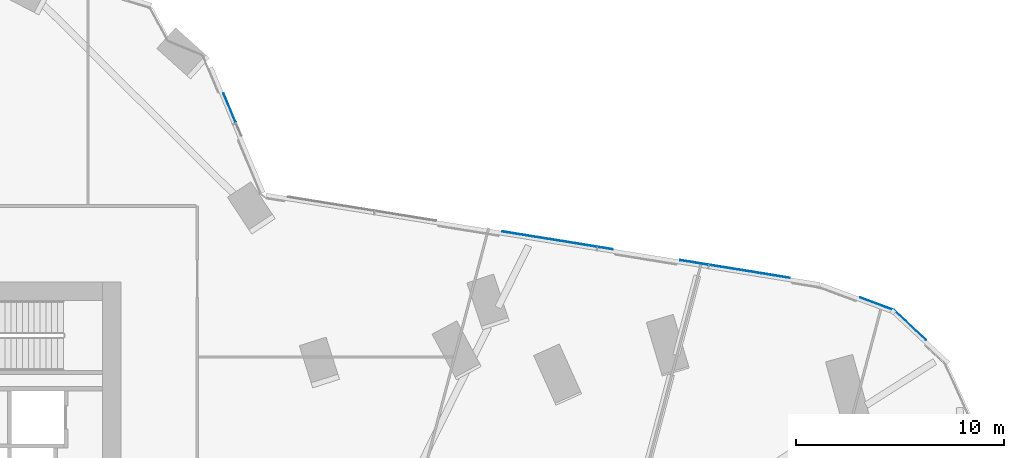
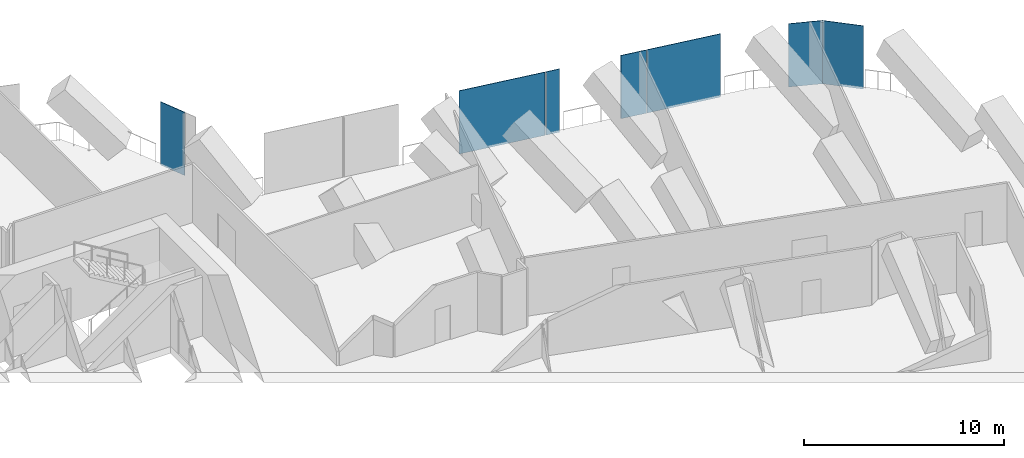
# One storey, part 26 of 37: 7 plates, 4 elements without a shape of their own.
"""IFC4 building model written with IfcOpenShell, lengths in metres."""

import ifcopenshell
import ifcopenshell.guid

model = None  # the IFC model being written
_history = None  # IfcOwnerHistory: only IFC2X3 demands one
_inside = {}  # id of a spatial element -> (the spatial element, [elements in it])
_under = {}  # id of a project, library or spatial element -> (it, [spatial elements below it])
_declared = {}  # id of a project -> (the project, [libraries it declares])
_typed = {}  # id of a type object -> (the type object, [elements of that type])
_made_of = {}  # id of a material, layer set ... -> (it, [elements and type objects made of it])


def new_model(schema):
    """Start an empty IFC model of exactly this schema.

    Asked for "IFC4X3", IfcOpenShell would pick the latest addendum, in which some entities
    have other attributes; the version numbers below select the first issue.
    IFC2X3 requires an IfcOwnerHistory on every rooted entity: one is made here for all.
    """
    global model, _history
    if schema == "IFC4X3":
        model = ifcopenshell.file(schema_version=(4, 3, 0, 0))
    else:
        model = ifcopenshell.file(schema=schema)
    _inside.clear()
    _under.clear()
    _declared.clear()
    _typed.clear()
    _made_of.clear()
    _history = None
    if model.schema == "IFC2X3":
        org = make("IfcOrganization", Name="unknown")
        user = make(
            "IfcPersonAndOrganization",
            ThePerson=make("IfcPerson", FamilyName="unknown"),
            TheOrganization=org,
        )
        app = make(
            "IfcApplication",
            ApplicationDeveloper=org,
            Version="unknown",
            ApplicationFullName="unknown",
            ApplicationIdentifier="unknown",
        )
        _history = make(
            "IfcOwnerHistory",
            OwningUser=user,
            OwningApplication=app,
            ChangeAction="ADDED",
            CreationDate=0,
        )
    return model


def make(cls, **values):
    """One entity of the class cls with the attributes given. An attribute that is None is left unset."""
    return model.create_entity(
        cls, **{name: value for name, value in values.items() if value is not None}
    )


def rooted(cls, **values):
    """An entity with a GlobalId (a new one), such as an element, a storey or a relation."""
    return make(cls, GlobalId=ifcopenshell.guid.new(), OwnerHistory=_history, **values)


def si_unit(unit_type, name, prefix=None):
    """IfcSIUnit, for example si_unit("LENGTHUNIT", "METRE", prefix="MILLI")."""
    return make("IfcSIUnit", UnitType=unit_type, Prefix=prefix, Name=name)


def assignment(units):
    """IfcUnitAssignment: the units of a project."""
    return None if units is None else make("IfcUnitAssignment", Units=units)


def point(xyz):
    """IfcCartesianPoint."""
    return None if xyz is None else make("IfcCartesianPoint", Coordinates=xyz)


def direction(xyz):
    """IfcDirection."""
    return None if xyz is None else make("IfcDirection", DirectionRatios=xyz)


def frame(location, z_axis=None, x_axis=None):
    """IfcAxis2Placement3D, a coordinate frame: its origin and axes. An axis left out is left unset."""
    return make(
        "IfcAxis2Placement3D",
        Location=point(location),
        Axis=direction(z_axis),
        RefDirection=direction(x_axis),
    )


def frame_2d(location, x_axis=None):
    """IfcAxis2Placement2D, a coordinate frame in the plane: its origin and x axis."""
    return make(
        "IfcAxis2Placement2D", Location=point(location), RefDirection=direction(x_axis)
    )


def origin():
    """The frame at (0, 0, 0) with its axes left unset."""
    return frame((0.0, 0.0, 0.0))


def origin_2d():
    """The frame at (0, 0) in the plane with its x axis left unset."""
    return frame_2d((0.0, 0.0))


def place(relative_to, where):
    """IfcLocalPlacement: puts the frame where relative to a parent placement (None: the world)."""
    return make(
        "IfcLocalPlacement", PlacementRelTo=relative_to, RelativePlacement=where
    )


def context(
    kind, dimensions, precision=None, world=None, true_north=None, identifier=None
):
    """IfcGeometricRepresentationContext, for example the 3D "Model" context."""
    return make(
        "IfcGeometricRepresentationContext",
        ContextIdentifier=identifier,
        ContextType=kind,
        CoordinateSpaceDimension=dimensions,
        Precision=precision,
        WorldCoordinateSystem=world,
        TrueNorth=true_north,
    )


def subcontext(parent, identifier, kind, view, scale=None):
    """IfcGeometricRepresentationSubContext, for example "Body" below "Model"."""
    return make(
        "IfcGeometricRepresentationSubContext",
        ContextIdentifier=identifier,
        ContextType=kind,
        ParentContext=parent,
        TargetScale=scale,
        TargetView=view,
    )


def project(units=None, contexts=None):
    """IfcProject with its units and contexts."""
    return rooted(
        "IfcProject",
        Name="project",
        RepresentationContexts=contexts,
        UnitsInContext=assignment(units),
    )


def spatial(cls, under=None, at=None, **own):
    """A site, building, storey or space (cls), placed at a placement, below another one or the project."""
    s = rooted(cls, ObjectPlacement=at, **own)
    if under is not None:
        _under.setdefault(under.id(), (under, []))[1].append(s)
    return s


def profile(cls, at=None, kind="AREA", **sizes):
    """A parametric profile (cls). Its sizes go by their IFC names, for example OverallWidth=200.0."""
    return make(cls, ProfileType=kind, Position=at, **sizes)


def rectangle(**sizes):
    """IfcRectangleProfileDef."""
    return profile("IfcRectangleProfileDef", **sizes)


def extrude(swept, where, along, depth):
    """IfcExtrudedAreaSolid: the profile swept, set in the frame where, extruded along a direction by depth."""
    return make(
        "IfcExtrudedAreaSolid",
        SweptArea=swept,
        Position=where,
        ExtrudedDirection=direction(along),
        Depth=depth,
    )


def shape(context_of_items, identifier, shape_type, items):
    """IfcShapeRepresentation: the items that make up one representation, for example the "Body"."""
    return make(
        "IfcShapeRepresentation",
        ContextOfItems=context_of_items,
        RepresentationIdentifier=identifier,
        RepresentationType=shape_type,
        Items=items,
    )


def material(Name=None, Category=None):
    """IfcMaterial."""
    return make("IfcMaterial", Name=Name, Category=Category)


def layer(
    of_material, thickness, ventilated=None, Name=None, Category=None, Priority=None
):
    """IfcMaterialLayer: one layer of a wall or slab, of a material (None: an air gap)."""
    return make(
        "IfcMaterialLayer",
        Material=of_material,
        LayerThickness=thickness,
        IsVentilated=ventilated,
        Name=Name,
        Category=Category,
        Priority=Priority,
    )


def layer_set(layers, Name=None):
    """IfcMaterialLayerSet."""
    return make("IfcMaterialLayerSet", MaterialLayers=layers, LayerSetName=Name)


def made_of(thing, what):
    """Note that an element or type object is made of a material, layer set ...; save() writes the relation."""
    if what is not None:
        _made_of.setdefault(what.id(), (what, []))[1].append(thing)
    return thing


def type_object(cls, material=None, **own):
    """A type object (cls), such as IfcWallType, which elements share."""
    return made_of(rooted(cls, **own), material)


def element(
    cls,
    number,
    at=None,
    inside=None,
    cuts=None,
    type_object=None,
    material=None,
    context=None,
    identifier="Body",
    shape_type=None,
    held_by="IfcProductDefinitionShape",
    body=None,
    shapes=None,
    **own,
):
    """One element of the class cls, such as IfcWall. Its Tag is "e" and its number.

    at: its placement. inside: the storey or other place that contains it. cuts: it is an
    opening in that element (IfcRelVoidsElement). A single representation is given by context,
    identifier, shape_type and body (its items); several are given by shapes. held_by: the class
    of the entity that holds the representations. save() writes the other relations.
    """
    e = rooted(cls, Tag="e%d" % number, ObjectPlacement=at, **own)
    if body is not None:
        shapes = [shape(context, identifier, shape_type, body)]
    if shapes is not None:
        e.Representation = make(held_by, Representations=shapes)
    if inside is not None:
        _inside.setdefault(inside.id(), (inside, []))[1].append(e)
    if cuts is not None:
        rooted(
            "IfcRelVoidsElement", RelatingBuildingElement=cuts, RelatedOpeningElement=e
        )
    if type_object is not None:
        _typed.setdefault(type_object.id(), (type_object, []))[1].append(e)
    return made_of(e, material)


def aggregate(whole, parts):
    """IfcRelAggregates: a whole, such as a stair, and the parts it consists of."""
    return rooted("IfcRelAggregates", RelatingObject=whole, RelatedObjects=parts)


def save(model, path):
    """Write the relations noted so far, then the file.

    IfcRelAggregates (storeys below a building ...), IfcRelContainedInSpatialStructure (elements
    in a storey), IfcRelDefinesByType, IfcRelAssociatesMaterial and IfcRelDeclares: one each for
    every whole, place, type object, material and project.
    """
    for whole, parts in _under.values():
        aggregate(whole, parts)
    for where, things in _inside.values():
        rooted(
            "IfcRelContainedInSpatialStructure",
            RelatedElements=things,
            RelatingStructure=where,
        )
    for kind, things in _typed.values():
        rooted("IfcRelDefinesByType", RelatedObjects=things, RelatingType=kind)
    for what, things in _made_of.values():
        rooted("IfcRelAssociatesMaterial", RelatedObjects=things, RelatingMaterial=what)
    for by, libraries in _declared.values():
        rooted("IfcRelDeclares", RelatingContext=by, RelatedDefinitions=libraries)
    model.write(path)


model = new_model("IFC4")

# Units and contexts
model_context = context("Model", 3, precision=1e-05, world=origin(), true_north=direction((0.0, 1.0)))
body_context = subcontext(model_context, "Body", "Model", "MODEL_VIEW")
ifc_project = project(units=[si_unit("LENGTHUNIT", "METRE"), si_unit("AREAUNIT", "SQUARE_METRE"), si_unit("VOLUMEUNIT", "CUBIC_METRE"), si_unit("PLANEANGLEUNIT", "RADIAN"), si_unit("MASSUNIT", "GRAM", prefix="KILO")], contexts=[model_context])

# Site, building, storey
site_placement = place(None, origin())
site = spatial("IfcSite", under=ifc_project, at=site_placement, CompositionType="ELEMENT")
building_placement = place(site_placement, origin())
building = spatial("IfcBuilding", under=site, at=building_placement, Name="Orlundy Tower", CompositionType="ELEMENT")
storey_placement = place(building_placement, frame((0.0, 0.0, 119.699951171875)))
storey = spatial("IfcBuildingStorey", under=building, at=storey_placement, Name="L30", CompositionType="ELEMENT", Elevation=119.699951171875)

# Curtain wall, plate
ifc_material_1 = material(Name="Aluminium bronze anodised", Category="aluminium")
curtain_wall_type = type_object("IfcCurtainWallType", Name="CW5 wall", PredefinedType="NOTDEFINED", material=ifc_material_1)
curtain_wall_1_placement = place(storey_placement, origin())
curtain_wall_1 = element("IfcCurtainWall", 1, at=curtain_wall_1_placement, inside=storey, type_object=curtain_wall_type, Name="CW5 run 014", PredefinedType="NOTDEFINED")
ifc_material_2 = material(Name="Tinted glass", Category="glass")
ifc_layer_1 = layer(ifc_material_2, 0.031982421875)
ifc_layer_set_1 = layer_set([ifc_layer_1], Name="CW5 glass panel 32")
plate_type_1 = type_object("IfcPlateType", Name="CW5 glass panel 32", PredefinedType="CURTAIN_PANEL", material=ifc_layer_set_1)
plate_1_placement = place(storey_placement, frame((24.210205078125, 20.35400390625, -0.259765625), z_axis=(0.0, 0.0, 1.0), x_axis=(0.385418760854, -0.922741772535, 0.0)))
plate_1 = element("IfcPlate", 2, at=plate_1_placement, type_object=plate_type_1, Name="CW5 panel", PredefinedType="CURTAIN_PANEL", context=body_context, shape_type="SweptSolid", body=[
    extrude(rectangle(XDim=1.511962890625, YDim=0.031982421875, at=origin_2d()), origin(), (0.0, 0.0, 1.0), 3.860107421875),
])
aggregate(curtain_wall_1, [plate_1])

# Curtain wall, plates
curtain_wall_2_placement = place(storey_placement, origin())
curtain_wall_2 = element("IfcCurtainWall", 3, at=curtain_wall_2_placement, inside=storey, type_object=curtain_wall_type, Name="CW5 run 015", PredefinedType="NOTDEFINED")
plate_2_placement = place(storey_placement, frame((42.255615234375, 13.626220703125, -0.259765625), z_axis=(0.0, 0.0, 1.0), x_axis=(0.987229331591, -0.159305514177, 0.0)))
plate_2 = element("IfcPlate", 4, at=plate_2_placement, type_object=plate_type_1, Name="CW5 panel", PredefinedType="CURTAIN_PANEL", context=body_context, shape_type="SweptSolid", body=[
    extrude(rectangle(XDim=0.723388671875, YDim=0.031982421875, at=origin_2d()), origin(), (0.0, 0.0, 1.0), 3.860107421875),
])
plate_3_placement = place(storey_placement, frame((46.528076171875, 12.936767578125, -0.259765625), z_axis=(0.0, 0.0, 1.0), x_axis=(0.987229331591, -0.159305514177, 0.0)))
plate_3 = element("IfcPlate", 5, at=plate_3_placement, type_object=plate_type_1, Name="CW5 panel", PredefinedType="CURTAIN_PANEL", context=body_context, shape_type="SweptSolid", body=[
    extrude(rectangle(XDim=1.363037109375, YDim=0.031982421875, at=origin_2d()), origin(), (0.0, 0.0, 1.0), 3.860107421875),
])
plate_4_placement = place(storey_placement, frame((49.183349609375, 12.50830078125, -0.259765625), z_axis=(0.0, 0.0, 1.0), x_axis=(0.987229331591, -0.159305514177, 0.0)))
plate_4 = element("IfcPlate", 6, at=plate_4_placement, type_object=plate_type_1, Name="CW5 panel", PredefinedType="CURTAIN_PANEL", context=body_context, shape_type="SweptSolid", body=[
    extrude(rectangle(XDim=3.91650390625, YDim=0.031982421875, at=origin_2d()), origin(), (0.0, 0.0, 1.0), 3.860107421875),
])

# Curtain wall, plate
curtain_wall_3_placement = place(storey_placement, origin())
curtain_wall_3 = element("IfcCurtainWall", 7, at=curtain_wall_3_placement, inside=storey, type_object=curtain_wall_type, Name="CW5 run 017", PredefinedType="NOTDEFINED")
plate_5_placement = place(storey_placement, frame((56.887451171875, 9.931640625, -0.259765625), z_axis=(0.0, 0.0, 1.0), x_axis=(0.732399444763, -0.680875211262, 0.0)))
plate_5 = element("IfcPlate", 8, at=plate_5_placement, type_object=plate_type_1, Name="CW5 panel", PredefinedType="CURTAIN_PANEL", context=body_context, shape_type="SweptSolid", body=[
    extrude(rectangle(XDim=2.097412109375, YDim=0.031982421875, at=origin_2d()), origin(), (0.0, 0.0, 1.0), 3.860107421875),
])
aggregate(curtain_wall_3, [plate_5])

# Plate
ifc_material_3 = material(Name="Tinted glass", Category="glass")
ifc_layer_2 = layer(ifc_material_3, 0.031982421875)
ifc_layer_set_2 = layer_set([ifc_layer_2], Name="CW5 vent panel 32")
plate_type_2 = type_object("IfcPlateType", Name="CW5 vent panel 32", PredefinedType="CURTAIN_PANEL", material=ifc_layer_set_2)
plate_6_placement = place(storey_placement, frame((39.581298828125, 14.057861328125, -0.259765625), z_axis=(0.0, 0.0, 1.0), x_axis=(0.987229331591, -0.159305514177, 0.0)))
plate_6 = element("IfcPlate", 9, at=plate_6_placement, type_object=plate_type_2, Name="CW5 panel", PredefinedType="CURTAIN_PANEL", context=body_context, shape_type="SweptSolid", body=[
    extrude(rectangle(XDim=4.593994140625, YDim=0.031982421875, at=origin_2d()), origin(), (0.0, 0.0, 1.0), 3.860107421875),
])

aggregate(curtain_wall_2, [plate_6, plate_2, plate_3, plate_4])

# Curtain wall, plate
curtain_wall_4_placement = place(storey_placement, origin())
curtain_wall_4 = element("IfcCurtainWall", 10, at=curtain_wall_4_placement, inside=storey, type_object=curtain_wall_type, Name="CW5 run 016", PredefinedType="NOTDEFINED")
plate_7_placement = place(storey_placement, frame((55.311279296875, 10.946533203125, -0.259765625), z_axis=(0.0, 0.0, 1.0), x_axis=(0.937158252964, -0.348904584236, 0.0)))
plate_7 = element("IfcPlate", 11, at=plate_7_placement, type_object=plate_type_2, Name="CW5 panel", PredefinedType="CURTAIN_PANEL", context=body_context, shape_type="SweptSolid", body=[
    extrude(rectangle(XDim=1.724853515625, YDim=0.031982421875, at=origin_2d()), origin(), (0.0, 0.0, 1.0), 3.860107421875),
])
aggregate(curtain_wall_4, [plate_7])

save(model, "model.ifc")
